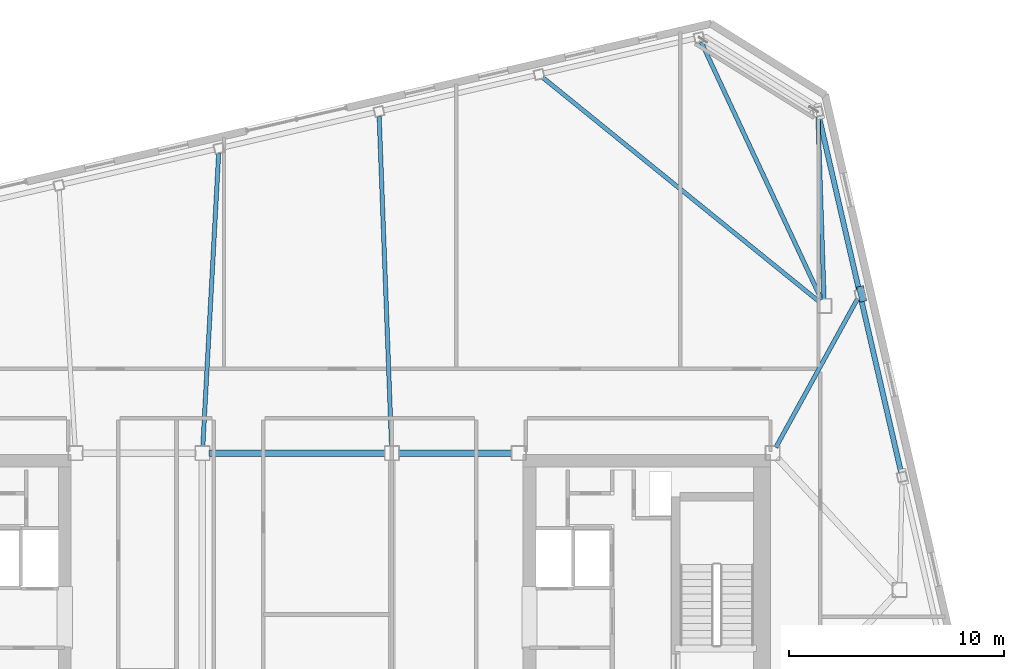
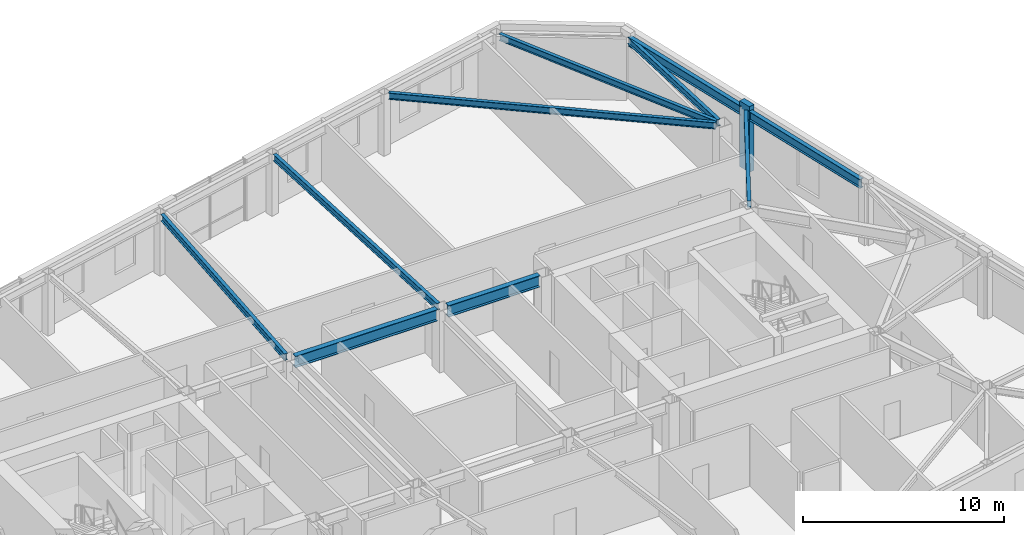
# One storey, part 13 of 23: 10 beams, 1 member.
"""IFC4 building model written with IfcOpenShell, lengths in metres."""

from ifc_helpers import new_model, si_unit, direction, frame, origin, origin_2d, place, context, subcontext, project, spatial, rectangle, i_section, extrude, material, material_profile, profile_set, type_object, element, save


model = new_model("IFC4")

# Units and contexts
model_context = context("Model", 3, precision=1e-05, world=origin(), true_north=direction((0.0, 1.0)))
body_context = subcontext(model_context, "Body", "Model", "MODEL_VIEW")
ifc_project = project(units=[si_unit("LENGTHUNIT", "METRE"), si_unit("AREAUNIT", "SQUARE_METRE"), si_unit("VOLUMEUNIT", "CUBIC_METRE"), si_unit("PLANEANGLEUNIT", "RADIAN"), si_unit("MASSUNIT", "GRAM", prefix="KILO")], contexts=[model_context])

# Site, building, storey
site_placement = place(None, origin())
site = spatial("IfcSite", under=ifc_project, at=site_placement, CompositionType="ELEMENT")
building_placement = place(site_placement, origin())
building = spatial("IfcBuilding", under=site, at=building_placement, Name="Tavrogorsk Clinical Tower", CompositionType="ELEMENT")
storey_placement = place(building_placement, frame((0.0, 0.0, 297.0)))
storey = spatial("IfcBuildingStorey", under=building, at=storey_placement, Name="L69", CompositionType="ELEMENT", Elevation=297.0)

# Beams
ifc_material_1 = material(Name="Structural steel S355", Category="steel")
ifc_material_profile_1 = material_profile(ifc_material_1, i_section(OverallWidth=0.199951171875, OverallDepth=0.39990234375, WebThickness=0.010498046875, FlangeThickness=0.01611328125, at=origin_2d()), Name="B-400x200x10.5x16")
ifc_profile_set_1 = profile_set([ifc_material_profile_1], Name="Structural steel S355")
beam_type_1 = type_object("IfcBeamType", Name="FloorBeam_B400", PredefinedType="BEAM", material=ifc_profile_set_1)
beam_1_placement = place(storey_placement, frame((24.368896484375, 13.48095703125, 3.5400390625), z_axis=(-0.422928957087, 0.906162842571, 0.0), x_axis=(-0.906162842571, -0.422928957087, 0.0)))
element("IfcBeam", 1, at=beam_1_placement, inside=storey, type_object=beam_type_1, Name="L69 Radial Floor Beam N1", PredefinedType="BEAM", context=body_context, shape_type="SweptSolid", body=[
    extrude(i_section(OverallWidth=0.199951171875, OverallDepth=0.39990234375, WebThickness=0.010498046875, FlangeThickness=0.01611328125, at=origin_2d()), origin(), (0.0, 0.0, 1.0), 13.214111328125),
])
beam_2_placement = place(storey_placement, frame((24.25927734375, 13.395263671875, 3.5400390625), z_axis=(-0.77675399059, 0.629804126774, 0.0), x_axis=(-0.629804126774, -0.77675399059, 0.0)))
element("IfcBeam", 2, at=beam_2_placement, inside=storey, type_object=beam_type_1, Name="L69 Radial Floor Beam N2", PredefinedType="BEAM", context=body_context, shape_type="SweptSolid", body=[
    extrude(i_section(OverallWidth=0.199951171875, OverallDepth=0.39990234375, WebThickness=0.010498046875, FlangeThickness=0.01611328125, at=origin_2d()), origin(), (0.0, 0.0, 1.0), 16.524169921875),
])
beam_3_placement = place(storey_placement, frame((4.388427734375, 6.65966796875, 3.5400390625), z_axis=(-0.037472270853, 0.999297667823, 0.0), x_axis=(-0.999297667823, -0.037472270853, 0.0)))
element("IfcBeam", 3, at=beam_3_placement, inside=storey, type_object=beam_type_1, Name="L69 Radial Floor Beam N3", PredefinedType="BEAM", context=body_context, shape_type="SweptSolid", body=[
    extrude(i_section(OverallWidth=0.199951171875, OverallDepth=0.39990234375, WebThickness=0.010498046875, FlangeThickness=0.01611328125, at=origin_2d()), origin(), (0.0, 0.0, 1.0), 15.349853515625),
])
beam_4_placement = place(storey_placement, frame((-4.38330078125, 6.65966796875, 3.5400390625), z_axis=(0.053993102157, 0.998541308569, 0.0), x_axis=(-0.998541308569, 0.053993102157, 0.0)))
element("IfcBeam", 4, at=beam_4_placement, inside=storey, type_object=beam_type_1, Name="L69 Radial Floor Beam N4", PredefinedType="BEAM", context=body_context, shape_type="SweptSolid", body=[
    extrude(i_section(OverallWidth=0.199951171875, OverallDepth=0.39990234375, WebThickness=0.010498046875, FlangeThickness=0.01611328125, at=origin_2d()), origin(), (0.0, 0.0, 1.0), 13.64208984375),
])
beam_5_placement = place(storey_placement, frame((22.249267578125, 6.62158203125, 3.5400390625), z_axis=(0.481705874182, 0.876332956574, 0.0), x_axis=(-0.876332956574, 0.481705874182, 0.0)))
element("IfcBeam", 5, at=beam_5_placement, inside=storey, type_object=beam_type_1, Name="L69 Radial Floor Beam E4", PredefinedType="BEAM", context=body_context, shape_type="SweptSolid", body=[
    extrude(i_section(OverallWidth=0.199951171875, OverallDepth=0.39990234375, WebThickness=0.010498046875, FlangeThickness=0.01611328125, at=origin_2d()), origin(), (0.0, 0.0, 1.0), 7.881103515625),
])
beam_6_placement = place(storey_placement, frame((24.48974609375, 13.509765625, 3.5400390625), z_axis=(-0.033421222185, 0.999441354912, 0.0), x_axis=(-0.999441354912, -0.033421222185, 0.0)))
element("IfcBeam", 6, at=beam_6_placement, inside=storey, type_object=beam_type_1, Name="L69 Radial Floor Beam E5", PredefinedType="BEAM", context=body_context, shape_type="SweptSolid", body=[
    extrude(i_section(OverallWidth=0.199951171875, OverallDepth=0.39990234375, WebThickness=0.010498046875, FlangeThickness=0.01611328125, at=origin_2d()), origin(), (0.0, 0.0, 1.0), 8.48095703125),
])

# Member
ifc_material_2 = material(Name="Precast concrete B45 with limestone cladding", Category="masonry")
ifc_material_profile_2 = material_profile(ifc_material_2, rectangle(XDim=0.320068359375, YDim=0.719970703125, at=origin_2d()), Name="LIMESTONE-FIN-320x720")
ifc_profile_set_2 = profile_set([ifc_material_profile_2], Name="Precast concrete B45 with limestone cladding")
member_type = type_object("IfcMemberType", Name="LimestonePleatFin_320x720", PredefinedType="USERDEFINED", material=ifc_profile_set_2)
member_placement = place(storey_placement, frame((26.23583984375, 13.750244140625, 0.0), z_axis=(0.0, 0.0, 1.0), x_axis=(0.974370064785, 0.224951054344, 0.0)))
element("IfcMember", 7, at=member_placement, inside=storey, type_object=member_type, Name="L69 E Pleated Stone Fin 3", ObjectType="FIN", PredefinedType="USERDEFINED", context=body_context, shape_type="SweptSolid", body=[
    extrude(rectangle(XDim=0.320068359375, YDim=0.719970703125, at=origin_2d()), origin(), (0.0, 0.0, 1.0), 4.0),
])

# Beams
ifc_material_3 = material(Name="Structural steel S390", Category="steel")
ifc_material_profile_3 = material_profile(ifc_material_3, i_section(OverallWidth=0.300048828125, OverallDepth=0.699951171875, WebThickness=0.01708984375, FlangeThickness=0.028076171875, at=origin_2d()), Name="B-700x300x17x28")
ifc_profile_set_3 = profile_set([ifc_material_profile_3], Name="Structural steel S390")
beam_type_2 = type_object("IfcBeamType", Name="PrimaryGirder_B700", PredefinedType="USERDEFINED", material=ifc_profile_set_3)
beam_7_placement = place(storey_placement, frame((-4.090087890625, 6.35009765625, 3.389892578125), z_axis=(1.0, 0.0, 0.0), x_axis=(0.0, 1.0, 0.0)))
element("IfcBeam", 8, at=beam_7_placement, inside=storey, type_object=beam_type_2, Name="L69 Primary Spine Girder MG-04", ObjectType="GIRDER", PredefinedType="USERDEFINED", context=body_context, shape_type="SweptSolid", body=[
    extrude(i_section(OverallWidth=0.300048828125, OverallDepth=0.699951171875, WebThickness=0.01708984375, FlangeThickness=0.028076171875, at=origin_2d()), origin(), (0.0, 0.0, 1.0), 8.18017578125),
])
beam_8_placement = place(storey_placement, frame((4.7099609375, 6.35009765625, 3.389892578125), z_axis=(1.0, 0.0, 0.0), x_axis=(0.0, 1.0, 0.0)))
element("IfcBeam", 9, at=beam_8_placement, inside=storey, type_object=beam_type_2, Name="L69 Primary Spine Girder MG-06", ObjectType="GIRDER", PredefinedType="USERDEFINED", context=body_context, shape_type="SweptSolid", body=[
    extrude(i_section(OverallWidth=0.300048828125, OverallDepth=0.699951171875, WebThickness=0.01708984375, FlangeThickness=0.028076171875, at=origin_2d()), origin(), (0.0, 0.0, 1.0), 5.280029296875),
])
ifc_material_4 = material(Name="Structural steel S390", Category="steel")
ifc_material_profile_4 = material_profile(ifc_material_4, i_section(OverallWidth=0.239990234375, OverallDepth=0.550048828125, WebThickness=0.013916015625, FlangeThickness=0.02197265625, at=origin_2d()), Name="B-550x240x14x22")
ifc_profile_set_4 = profile_set([ifc_material_profile_4], Name="Structural steel S390")
beam_type_3 = type_object("IfcBeamType", Name="SpandrelBeam_B550", PredefinedType="SPANDREL", material=ifc_profile_set_4)
beam_9_placement = place(storey_placement, frame((28.06494140625, 5.472412109375, 3.465087890625), z_axis=(-0.224978460613, 0.974363737144, 0.0), x_axis=(-0.974363737144, -0.224978460613, 0.0)))
element("IfcBeam", 10, at=beam_9_placement, inside=storey, type_object=beam_type_3, Name="L69 Perimeter Spandrel E3-E4", PredefinedType="SPANDREL", context=body_context, shape_type="SweptSolid", body=[
    extrude(i_section(OverallWidth=0.239990234375, OverallDepth=0.550048828125, WebThickness=0.013916015625, FlangeThickness=0.02197265625, at=origin_2d()), origin(), (0.0, 0.0, 1.0), 8.244140625),
])
beam_10_placement = place(storey_placement, frame((26.10546875, 13.959228515625, 3.465087890625), z_axis=(-0.224950345141, 0.974370228517, 0.0), x_axis=(-0.974370228517, -0.224950345141, 0.0)))
element("IfcBeam", 11, at=beam_10_placement, inside=storey, type_object=beam_type_3, Name="L69 Perimeter Spandrel E4-E5", PredefinedType="SPANDREL", context=body_context, shape_type="SweptSolid", body=[
    extrude(i_section(OverallWidth=0.239990234375, OverallDepth=0.550048828125, WebThickness=0.013916015625, FlangeThickness=0.02197265625, at=origin_2d()), origin(), (0.0, 0.0, 1.0), 8.243896484375),
])

save(model, "model.ifc")
